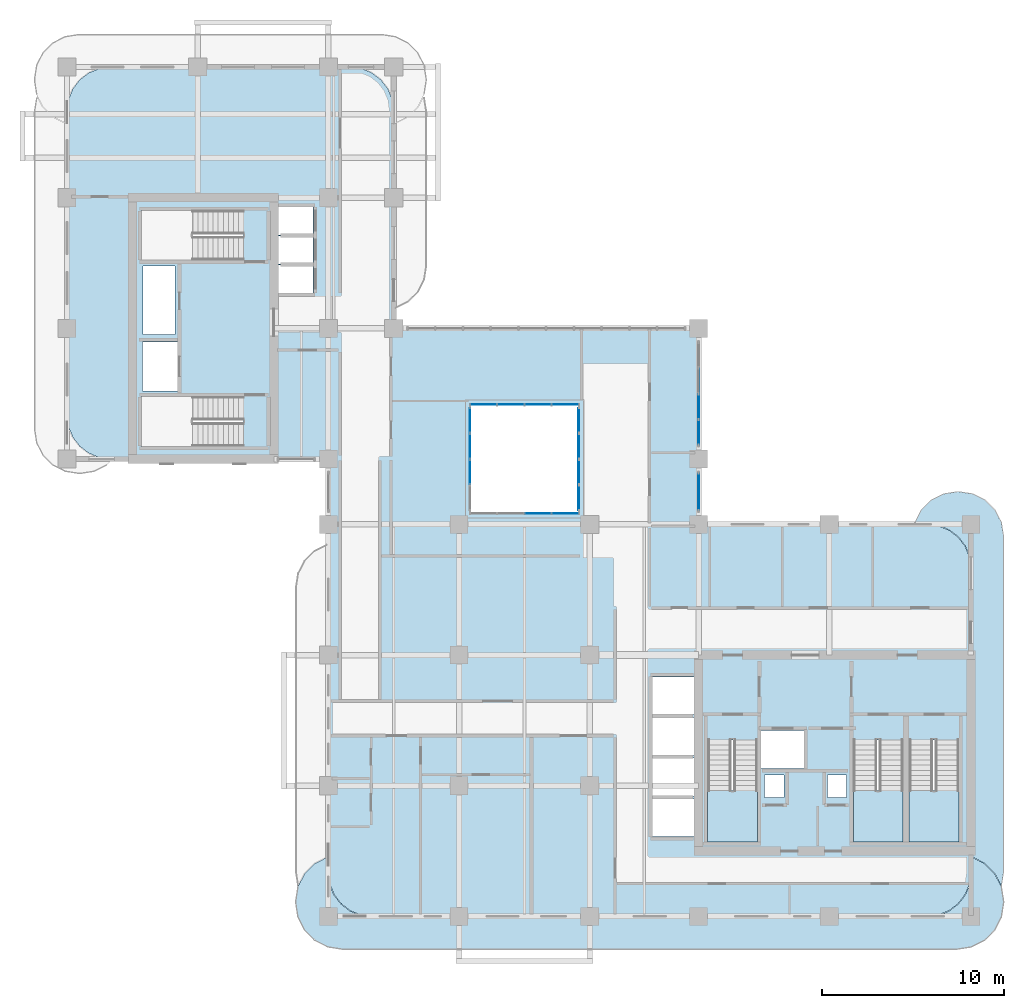
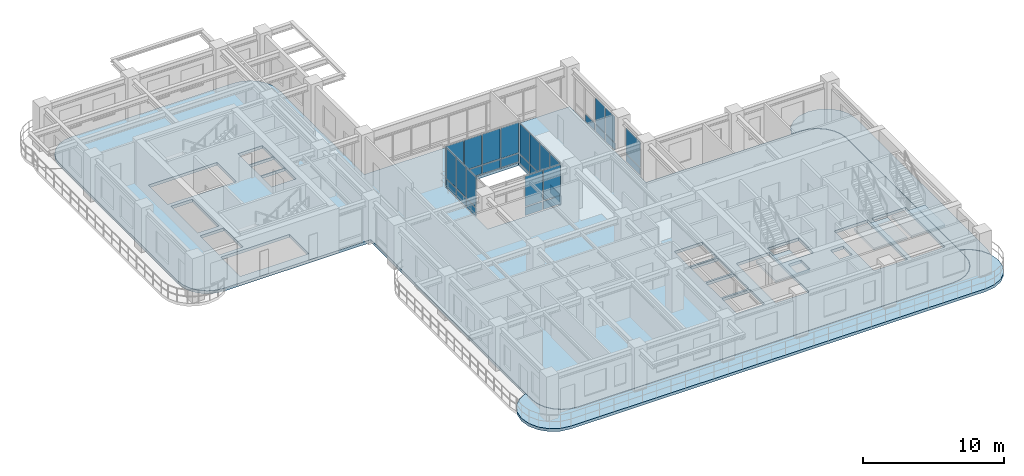
# One storey, part 9 of 19: 33 plates, 6 slabs, 9 elements without a shape of their own.
"""IFC4 building model written with IfcOpenShell, lengths in metres."""

from ifc_helpers import new_model, si_unit, derived_unit, direction, frame, origin, origin_2d, place, context, subcontext, project, spatial, polyline, rectangle, outline, extrude, source, transform, mapped, material, layer, layer_set, type_object, element, aggregate, save


model = new_model("IFC4")

# Units and contexts
model_context = context("Model", 3, precision=1e-05, world=origin(), true_north=direction((0.0, 1.0)))
body_context = subcontext(model_context, "Body", "Model", "MODEL_VIEW")
ifc_project = project(units=[si_unit("LENGTHUNIT", "METRE"), si_unit("AREAUNIT", "SQUARE_METRE"), si_unit("VOLUMEUNIT", "CUBIC_METRE"), si_unit("PLANEANGLEUNIT", "RADIAN"), si_unit("MASSUNIT", "GRAM", prefix="KILO"), si_unit("THERMODYNAMICTEMPERATUREUNIT", "KELVIN"), si_unit("POWERUNIT", "WATT"), derived_unit("THERMALTRANSMITTANCEUNIT", [(si_unit("POWERUNIT", "WATT"), 1), (si_unit("AREAUNIT", "SQUARE_METRE"), -1), (si_unit("THERMODYNAMICTEMPERATUREUNIT", "KELVIN"), -1)])], contexts=[model_context])

# Site, building, storey
site_placement = place(None, origin())
site = spatial("IfcSite", under=ifc_project, at=site_placement, CompositionType="ELEMENT")
building_placement = place(site_placement, origin())
building = spatial("IfcBuilding", under=site, at=building_placement, Name="Zahravan Archway Hotel and Residences", CompositionType="ELEMENT")
storey_placement = place(building_placement, frame((0.0, 0.0, 150.300048828125)))
storey = spatial("IfcBuildingStorey", under=building, at=storey_placement, Name="L37", CompositionType="ELEMENT", Elevation=150.300048828125)

# Slabs
ifc_material_1 = material(Name="Concrete C45/55", Category="concrete")
ifc_layer_1 = layer(ifc_material_1, 0.25, Name="Concrete C45/55", Category="concrete")
ifc_layer_set_1 = layer_set([ifc_layer_1], Name="Concrete C45/55")
slab_type_1 = type_object("IfcSlabType", Name="SLB-BALC-250", PredefinedType="FLOOR", material=ifc_layer_set_1)
slab_1_placement = place(storey_placement, frame((0.0, 0.0, -0.25)))
element("IfcSlab", 1, at=slab_1_placement, inside=storey, type_object=slab_type_1, Name="L37 Wing A South Rounded Balcony Band", PredefinedType="FLOOR", context=body_context, shape_type="SweptSolid", body=[
    extrude(outline(polyline([(49.837890625, 3.275146484375), (50.548828125, 2.9130859375), (51.113037109375, 2.348876953125), (51.47509765625, 1.637939453125), (51.60009765625, 0.85009765625), (51.60009765625, 0.75), (51.47509765625, -0.0380859375), (51.113037109375, -0.748779296875), (50.548828125, -1.31298828125), (49.837890625, -1.67529296875), (49.050048828125, -1.800048828125), (15.14990234375, -1.800048828125), (14.362060546875, -1.67529296875), (13.651123046875, -1.31298828125), (13.0869140625, -0.748779296875), (12.724853515625, -0.0380859375), (12.60009765625, 0.75), (12.60009765625, 0.85009765625), (12.724853515625, 1.637939453125), (13.0869140625, 2.348876953125), (13.651123046875, 2.9130859375), (14.362060546875, 3.275146484375), (14.3798828125, 3.278076171875), (14.3798828125, 2.39990234375), (14.380126953125, 2.3974609375), (14.4619140625, 1.776123046875), (14.46240234375, 1.7744140625), (14.462646484375, 1.772705078125), (14.46337890625, 1.77099609375), (14.702880859375, 1.1923828125), (14.703857421875, 1.19091796875), (14.70458984375, 1.189208984375), (14.70556640625, 1.187744140625), (15.0869140625, 0.690673828125), (15.088134765625, 0.689453125), (15.08935546875, 0.688232421875), (15.0908203125, 0.68701171875), (15.587890625, 0.3056640625), (15.58935546875, 0.3046875), (15.5908203125, 0.3037109375), (15.59228515625, 0.302978515625), (16.171142578125, 0.063232421875), (16.1728515625, 0.062744140625), (16.174560546875, 0.062255859375), (16.17626953125, 0.06201171875), (16.79736328125, -0.019775390625), (16.800048828125, -0.02001953125), (47.39990234375, -0.02001953125), (47.402587890625, -0.019775390625), (48.023681640625, 0.06201171875), (48.025390625, 0.062255859375), (48.027099609375, 0.062744140625), (48.02880859375, 0.063232421875), (48.607666015625, 0.302978515625), (48.609130859375, 0.3037109375), (48.610595703125, 0.3046875), (48.6123046875, 0.3056640625), (49.109375, 0.68701171875), (49.110595703125, 0.688232421875), (49.11181640625, 0.689453125), (49.113037109375, 0.690673828125), (49.494384765625, 1.187744140625), (49.495361328125, 1.189208984375), (49.49609375, 1.19091796875), (49.4970703125, 1.1923828125), (49.73681640625, 1.77099609375), (49.7373046875, 1.772705078125), (49.73779296875, 1.7744140625), (49.738037109375, 1.776123046875), (49.81982421875, 2.3974609375), (49.820068359375, 2.39990234375), (49.820068359375, 3.278076171875), (49.837890625, 3.275146484375)])), origin(), (0.0, 0.0, 1.0), 0.25),
])
slab_2_placement = place(storey_placement, frame((0.0, 0.0, -0.25)))
element("IfcSlab", 2, at=slab_2_placement, inside=storey, type_object=slab_type_1, Name="L37 Wing A East Rounded Balcony Band", PredefinedType="FLOOR", context=body_context, shape_type="SweptSolid", body=[
    extrude(outline(polyline([(46.719970703125, 21.70703125), (47.06787109375, 22.39013671875), (47.60986328125, 22.93212890625), (48.29296875, 23.280029296875), (49.050048828125, 23.39990234375), (49.14990234375, 23.39990234375), (49.906982421875, 23.280029296875), (50.590087890625, 22.93212890625), (51.132080078125, 22.39013671875), (51.47998046875, 21.70703125), (51.60009765625, 20.949951171875), (51.60009765625, 2.449951171875), (51.47998046875, 1.69287109375), (51.474853515625, 1.6826171875), (51.130859375, 2.35791015625), (51.1298828125, 2.35986328125), (51.12841796875, 2.361572265625), (51.127197265625, 2.363037109375), (50.56298828125, 2.927001953125), (50.5615234375, 2.928466796875), (50.559814453125, 2.9296875), (50.55810546875, 2.930908203125), (49.84716796875, 3.29296875), (49.84521484375, 3.2939453125), (49.84326171875, 3.29443359375), (49.841064453125, 3.294921875), (49.822998046875, 3.2978515625), (49.8212890625, 3.298095703125), (49.820068359375, 3.298095703125), (49.820068359375, 19.199951171875), (49.81982421875, 19.20263671875), (49.738037109375, 19.82373046875), (49.73779296875, 19.825439453125), (49.7373046875, 19.8271484375), (49.73681640625, 19.828857421875), (49.4970703125, 20.40771484375), (49.49609375, 20.4091796875), (49.495361328125, 20.41064453125), (49.494384765625, 20.412109375), (49.113037109375, 20.9091796875), (49.11181640625, 20.91064453125), (49.110595703125, 20.911865234375), (49.109375, 20.9130859375), (48.6123046875, 21.29443359375), (48.610595703125, 21.29541015625), (48.609130859375, 21.296142578125), (48.607666015625, 21.297119140625), (48.02880859375, 21.53662109375), (48.027099609375, 21.537353515625), (48.025390625, 21.53759765625), (48.023681640625, 21.5380859375), (47.402587890625, 21.619873046875), (47.39990234375, 21.6201171875), (46.7060546875, 21.6201171875), (46.719970703125, 21.70703125)])), origin(), (0.0, 0.0, 1.0), 0.25),
])
ifc_layer_2 = layer(ifc_material_1, 0.25, Name="Concrete C45/55", Category="concrete")
ifc_layer_set_2 = layer_set([ifc_layer_2], Name="Concrete C45/55")
slab_type_2 = type_object("IfcSlabType", Name="SLB-FLR-250", PredefinedType="FLOOR", material=ifc_layer_set_2)
slab_3_placement = place(storey_placement, frame((0.0, 0.0, -0.25)))
element("IfcSlab", 3, at=slab_3_placement, inside=storey, type_object=slab_type_2, Name="L37 Floor Slab LB", PredefinedType="FLOOR", context=body_context, shape_type="SweptSolid", body=[
    extrude(outline(polyline([(34.800048828125, 21.60009765625), (34.800048828125, 32.39990234375), (18.0, 32.39990234375), (18.0, 44.39990234375), (17.918212890625, 45.021240234375), (17.678466796875, 45.60009765625), (17.297119140625, 46.09716796875), (16.800048828125, 46.478515625), (16.22119140625, 46.71826171875), (15.60009765625, 46.800048828125), (2.39990234375, 46.800048828125), (1.77880859375, 46.71826171875), (1.199951171875, 46.478515625), (0.702880859375, 46.09716796875), (0.321533203125, 45.60009765625), (0.081787109375, 45.021240234375), (0.0, 44.39990234375), (0.0, 27.60009765625), (0.081787109375, 26.978759765625), (0.321533203125, 26.39990234375), (0.702880859375, 25.90283203125), (1.199951171875, 25.521484375), (1.77880859375, 25.28173828125), (2.39990234375, 25.199951171875), (14.39990234375, 25.199951171875), (14.39990234375, 19.199951171875), (14.39990234375, 19.10009765625), (14.39990234375, 2.39990234375), (14.481689453125, 1.77880859375), (14.721435546875, 1.199951171875), (15.102783203125, 0.702880859375), (15.60009765625, 0.321533203125), (16.1787109375, 0.081787109375), (16.800048828125, 0.0), (47.39990234375, 0.0), (48.021240234375, 0.081787109375), (48.60009765625, 0.321533203125), (49.09716796875, 0.702880859375), (49.478515625, 1.199951171875), (49.71826171875, 1.77880859375), (49.800048828125, 2.39990234375), (49.800048828125, 19.199951171875), (49.71826171875, 19.8212890625), (49.478515625, 20.39990234375), (49.09716796875, 20.897216796875), (48.60009765625, 21.278564453125), (48.021240234375, 21.518310546875), (47.39990234375, 21.60009765625), (34.800048828125, 21.60009765625)]), holes=[polyline([(35.300048828125, 9.72998046875), (35.300048828125, 4.10009765625), (38.0400390625, 4.10009765625), (38.0400390625, 9.72998046875), (35.300048828125, 9.72998046875)]), polyline([(43.320068359375, 9.72998046875), (43.320068359375, 4.10009765625), (46.06005859375, 4.10009765625), (46.06005859375, 9.72998046875), (43.320068359375, 9.72998046875)]), polyline([(46.39990234375, 9.72998046875), (46.39990234375, 4.10009765625), (49.139892578125, 4.10009765625), (49.139892578125, 9.72998046875), (46.39990234375, 9.72998046875)]), polyline([(9.72998046875, 28.639892578125), (4.10009765625, 28.639892578125), (4.10009765625, 25.89990234375), (9.72998046875, 25.89990234375), (9.72998046875, 28.639892578125)]), polyline([(9.72998046875, 38.89990234375), (4.10009765625, 38.89990234375), (4.10009765625, 36.159912109375), (9.72998046875, 36.159912109375), (9.72998046875, 38.89990234375)]), polyline([(38.179931640625, 8.14990234375), (40.699951171875, 8.14990234375), (40.699951171875, 10.25), (38.179931640625, 10.25), (38.179931640625, 8.14990234375)]), polyline([(4.14990234375, 28.949951171875), (6.10009765625, 28.949951171875), (6.10009765625, 31.64990234375), (4.14990234375, 31.64990234375), (4.14990234375, 28.949951171875)]), polyline([(11.550048828125, 34.35009765625), (13.550048828125, 34.35009765625), (13.550048828125, 35.889892578125), (11.550048828125, 35.889892578125), (11.550048828125, 34.35009765625)]), polyline([(11.550048828125, 35.949951171875), (13.550048828125, 35.949951171875), (13.550048828125, 37.489990234375), (11.550048828125, 37.489990234375), (11.550048828125, 35.949951171875)]), polyline([(11.550048828125, 37.550048828125), (13.550048828125, 37.550048828125), (13.550048828125, 39.090087890625), (11.550048828125, 39.090087890625), (11.550048828125, 37.550048828125)]), polyline([(32.25, 4.39990234375), (34.550048828125, 4.39990234375), (34.550048828125, 6.47998046875), (32.25, 6.47998046875), (32.25, 4.39990234375)]), polyline([(32.25, 6.639892578125), (34.550048828125, 6.639892578125), (34.550048828125, 8.719970703125), (32.25, 8.719970703125), (32.25, 6.639892578125)]), polyline([(32.25, 8.8798828125), (34.550048828125, 8.8798828125), (34.550048828125, 10.9599609375), (32.25, 10.9599609375), (32.25, 8.8798828125)]), polyline([(32.25, 11.1201171875), (34.550048828125, 11.1201171875), (34.550048828125, 13.199951171875), (32.25, 13.199951171875), (32.25, 11.1201171875)]), polyline([(22.199951171875, 22.199951171875), (28.199951171875, 22.199951171875), (28.199951171875, 28.199951171875), (22.199951171875, 28.199951171875), (22.199951171875, 22.199951171875)]), polyline([(38.419921875, 6.56005859375), (39.5, 6.56005859375), (39.5, 7.780029296875), (38.419921875, 7.780029296875), (38.419921875, 6.56005859375)]), polyline([(41.89990234375, 6.56005859375), (42.9599609375, 6.56005859375), (42.9599609375, 7.780029296875), (41.89990234375, 7.780029296875), (41.89990234375, 6.56005859375)]), polyline([(4.179931640625, 32.050048828125), (5.93994140625, 32.050048828125), (5.93994140625, 35.840087890625), (4.179931640625, 35.840087890625), (4.179931640625, 32.050048828125)])]), origin(), (0.0, 0.0, 1.0), 0.25),
])

# Stair, slab
ifc_material_2 = material(Name="Concrete C50/60", Category="concrete")
stair_type = type_object("IfcStairType", Name="STR-CORE-1300", PredefinedType="HALF_TURN_STAIR", material=ifc_material_2)
stair_1_placement = place(storey_placement, origin())
stair_1 = element("IfcStair", 4, at=stair_1_placement, inside=storey, type_object=stair_type, Name="L37 Core A Exit Stair 1", PredefinedType="HALF_TURN_STAIR")
ifc_layer_3 = layer(ifc_material_2, 0.199951171875, Name="Concrete C50/60", Category="concrete")
ifc_layer_set_3 = layer_set([ifc_layer_3], Name="Concrete C50/60")
slab_type_3 = type_object("IfcSlabType", Name="SLB-LND-200", PredefinedType="LANDING", material=ifc_layer_set_3)
slab_4_placement = place(storey_placement, frame((0.0, 0.0, 1.724853515625)))
slab_4 = element("IfcSlab", 5, at=slab_4_placement, type_object=slab_type_3, Name="ST-A1 landing 1", PredefinedType="LANDING", context=body_context, shape_type="SweptSolid", body=[
    extrude(outline(polyline([(35.300048828125, 6.929931640625), (35.300048828125, 4.10009765625), (38.0400390625, 4.10009765625), (38.0400390625, 6.929931640625), (35.300048828125, 6.929931640625)])), origin(), (0.0, 0.0, 1.0), 0.2001953125),
])
aggregate(stair_1, [slab_4])

stair_2_placement = place(storey_placement, origin())
stair_2 = element("IfcStair", 6, at=stair_2_placement, inside=storey, type_object=stair_type, Name="L37 Core A Exit Stair 2", PredefinedType="HALF_TURN_STAIR")
slab_5_placement = place(storey_placement, frame((0.0, 0.0, 1.724853515625)))
slab_5 = element("IfcSlab", 7, at=slab_5_placement, type_object=slab_type_3, Name="ST-A2 landing 1", PredefinedType="LANDING", context=body_context, shape_type="SweptSolid", body=[
    extrude(outline(polyline([(43.320068359375, 6.929931640625), (43.320068359375, 4.10009765625), (46.06005859375, 4.10009765625), (46.06005859375, 6.929931640625), (43.320068359375, 6.929931640625)])), origin(), (0.0, 0.0, 1.0), 0.2001953125),
])
aggregate(stair_2, [slab_5])

stair_3_placement = place(storey_placement, origin())
stair_3 = element("IfcStair", 8, at=stair_3_placement, inside=storey, type_object=stair_type, Name="L37 Core A Exit Stair 3", PredefinedType="HALF_TURN_STAIR")
slab_6_placement = place(storey_placement, frame((0.0, 0.0, 1.724853515625)))
slab_6 = element("IfcSlab", 9, at=slab_6_placement, type_object=slab_type_3, Name="ST-A3 landing 1", PredefinedType="LANDING", context=body_context, shape_type="SweptSolid", body=[
    extrude(outline(polyline([(46.39990234375, 6.929931640625), (46.39990234375, 4.10009765625), (49.139892578125, 4.10009765625), (49.139892578125, 6.929931640625), (46.39990234375, 6.929931640625)])), origin(), (0.0, 0.0, 1.0), 0.2001953125),
])
aggregate(stair_3, [slab_6])

# Curtain wall, plates
ifc_material_3 = material(Name="Bronze-Anodized Unitised Aluminium & Low-E Glass", Category="aluminium")
ifc_layer_4 = layer(ifc_material_3, 0.179931640625, Name="Bronze-Anodized Unitised Aluminium & Low-E Glass", Category="aluminium")
ifc_layer_set_4 = layer_set([ifc_layer_4], Name="Bronze-Anodized Unitised Aluminium & Low-E Glass")
curtain_wall_type = type_object("IfcCurtainWallType", Name="CW-ATR-GLAZ", PredefinedType="NOTDEFINED", material=ifc_layer_set_4)
curtain_wall_1_placement = place(storey_placement, origin())
curtain_wall_1 = element("IfcCurtainWall", 10, at=curtain_wall_1_placement, inside=storey, type_object=curtain_wall_type, Name="L37 Curtain Wall CW-ATR-L37-S-1", PredefinedType="NOTDEFINED")
ifc_material_4 = material(Name="Insulated Terracotta Spandrel Panel", Category="masonry")
ifc_layer_5 = layer(ifc_material_4, 0.0400390625, Name="Insulated Terracotta Spandrel Panel", Category="masonry")
ifc_layer_set_5 = layer_set([ifc_layer_5], Name="Insulated Terracotta Spandrel Panel")
plate_type_1 = type_object("IfcPlateType", Name="CWP-SPN-40", PredefinedType="SHEET", material=ifc_layer_set_5)
shared_shape_1 = source(origin(), body_context, "Body", "SweptSolid", [
    extrude(rectangle(XDim=1.419921875, YDim=0.0400390625, at=origin_2d()), origin(), (0.0, 0.0, 1.0), 0.7099609375),
])
plate_1_placement = place(storey_placement, frame((25.949951171875, 22.199951171875, 0.099853515625), z_axis=(0.0, 0.0, 1.0), x_axis=(1.0, 0.0, 0.0)))
plate_1 = element("IfcPlate", 11, at=plate_1_placement, type_object=plate_type_1, Name="CW-ATR-L37-S-1 Spandrel Panel 2", PredefinedType="SHEET", context=body_context, shape_type="MappedRepresentation", body=[
    mapped(shared_shape_1, transform((0.0, 0.0, 0.0), scale=1.0)),
])
plate_2_placement = place(storey_placement, frame((27.449951171875, 22.199951171875, 0.099853515625), z_axis=(0.0, 0.0, 1.0), x_axis=(1.0, 0.0, 0.0)))
plate_2 = element("IfcPlate", 12, at=plate_2_placement, type_object=plate_type_1, Name="CW-ATR-L37-S-1 Spandrel Panel 3", PredefinedType="SHEET", context=body_context, shape_type="MappedRepresentation", body=[
    mapped(shared_shape_1, transform((0.0, 0.0, 0.0), scale=1.0)),
])

curtain_wall_2_placement = place(storey_placement, origin())
curtain_wall_2 = element("IfcCurtainWall", 13, at=curtain_wall_2_placement, inside=storey, type_object=curtain_wall_type, Name="L37 Curtain Wall CW-ATR-L37-N-1", PredefinedType="NOTDEFINED")
plate_3_placement = place(storey_placement, frame((22.949951171875, 28.199951171875, 0.099853515625), z_axis=(0.0, 0.0, 1.0), x_axis=(1.0, 0.0, 0.0)))
plate_3 = element("IfcPlate", 14, at=plate_3_placement, type_object=plate_type_1, Name="CW-ATR-L37-N-1 Spandrel Panel 0", PredefinedType="SHEET", context=body_context, shape_type="MappedRepresentation", body=[
    mapped(shared_shape_1, transform((0.0, 0.0, 0.0), scale=1.0)),
])
plate_4_placement = place(storey_placement, frame((24.449951171875, 28.199951171875, 0.099853515625), z_axis=(0.0, 0.0, 1.0), x_axis=(1.0, 0.0, 0.0)))
plate_4 = element("IfcPlate", 15, at=plate_4_placement, type_object=plate_type_1, Name="CW-ATR-L37-N-1 Spandrel Panel 1", PredefinedType="SHEET", context=body_context, shape_type="MappedRepresentation", body=[
    mapped(shared_shape_1, transform((0.0, 0.0, 0.0), scale=1.0)),
])
plate_5_placement = place(storey_placement, frame((25.949951171875, 28.199951171875, 0.099853515625), z_axis=(0.0, 0.0, 1.0), x_axis=(1.0, 0.0, 0.0)))
plate_5 = element("IfcPlate", 16, at=plate_5_placement, type_object=plate_type_1, Name="CW-ATR-L37-N-1 Spandrel Panel 2", PredefinedType="SHEET", context=body_context, shape_type="MappedRepresentation", body=[
    mapped(shared_shape_1, transform((0.0, 0.0, 0.0), scale=1.0)),
])
plate_6_placement = place(storey_placement, frame((27.449951171875, 28.199951171875, 0.099853515625), z_axis=(0.0, 0.0, 1.0), x_axis=(1.0, 0.0, 0.0)))
plate_6 = element("IfcPlate", 17, at=plate_6_placement, type_object=plate_type_1, Name="CW-ATR-L37-N-1 Spandrel Panel 3", PredefinedType="SHEET", context=body_context, shape_type="MappedRepresentation", body=[
    mapped(shared_shape_1, transform((0.0, 0.0, 0.0), scale=1.0)),
])

curtain_wall_3_placement = place(storey_placement, origin())
curtain_wall_3 = element("IfcCurtainWall", 18, at=curtain_wall_3_placement, inside=storey, type_object=curtain_wall_type, Name="L37 Curtain Wall CW-ATR-L37-W-1", PredefinedType="NOTDEFINED")
shared_shape_2 = source(origin(), body_context, "Body", "SweptSolid", [
    extrude(rectangle(XDim=1.344970703125, YDim=0.0400390625, at=origin_2d()), origin(), (0.0, 0.0, 1.0), 0.7099609375),
])
plate_7_placement = place(storey_placement, frame((22.199951171875, 24.487548828125, 0.099853515625), z_axis=(0.0, 0.0, 1.0), x_axis=(0.0, 1.0, 0.0)))
plate_7 = element("IfcPlate", 19, at=plate_7_placement, type_object=plate_type_1, Name="CW-ATR-L37-W-1 Spandrel Panel 1", PredefinedType="SHEET", context=body_context, shape_type="MappedRepresentation", body=[
    mapped(shared_shape_2, transform((0.0, 0.0, 0.0), scale=1.0)),
])
plate_8_placement = place(storey_placement, frame((22.199951171875, 25.91259765625, 0.099853515625), z_axis=(0.0, 0.0, 1.0), x_axis=(0.0, 1.0, 0.0)))
plate_8 = element("IfcPlate", 20, at=plate_8_placement, type_object=plate_type_1, Name="CW-ATR-L37-W-1 Spandrel Panel 2", PredefinedType="SHEET", context=body_context, shape_type="MappedRepresentation", body=[
    mapped(shared_shape_2, transform((0.0, 0.0, 0.0), scale=1.0)),
])
plate_9_placement = place(storey_placement, frame((22.199951171875, 27.33740234375, 0.099853515625), z_axis=(0.0, 0.0, 1.0), x_axis=(0.0, 1.0, 0.0)))
plate_9 = element("IfcPlate", 21, at=plate_9_placement, type_object=plate_type_1, Name="CW-ATR-L37-W-1 Spandrel Panel 3", PredefinedType="SHEET", context=body_context, shape_type="MappedRepresentation", body=[
    mapped(shared_shape_2, transform((0.0, 0.0, 0.0), scale=1.0)),
])

curtain_wall_4_placement = place(storey_placement, origin())
curtain_wall_4 = element("IfcCurtainWall", 22, at=curtain_wall_4_placement, inside=storey, type_object=curtain_wall_type, Name="L37 Curtain Wall CW-ATR-L37-E-1", PredefinedType="NOTDEFINED")
plate_10_placement = place(storey_placement, frame((28.199951171875, 23.0625, 0.099853515625), z_axis=(0.0, 0.0, 1.0), x_axis=(0.0, 1.0, 0.0)))
plate_10 = element("IfcPlate", 23, at=plate_10_placement, type_object=plate_type_1, Name="CW-ATR-L37-E-1 Spandrel Panel 0", PredefinedType="SHEET", context=body_context, shape_type="MappedRepresentation", body=[
    mapped(shared_shape_2, transform((0.0, 0.0, 0.0), scale=1.0)),
])
plate_11_placement = place(storey_placement, frame((28.199951171875, 24.487548828125, 0.099853515625), z_axis=(0.0, 0.0, 1.0), x_axis=(0.0, 1.0, 0.0)))
plate_11 = element("IfcPlate", 24, at=plate_11_placement, type_object=plate_type_1, Name="CW-ATR-L37-E-1 Spandrel Panel 1", PredefinedType="SHEET", context=body_context, shape_type="MappedRepresentation", body=[
    mapped(shared_shape_2, transform((0.0, 0.0, 0.0), scale=1.0)),
])
plate_12_placement = place(storey_placement, frame((28.199951171875, 25.91259765625, 0.099853515625), z_axis=(0.0, 0.0, 1.0), x_axis=(0.0, 1.0, 0.0)))
plate_12 = element("IfcPlate", 25, at=plate_12_placement, type_object=plate_type_1, Name="CW-ATR-L37-E-1 Spandrel Panel 2", PredefinedType="SHEET", context=body_context, shape_type="MappedRepresentation", body=[
    mapped(shared_shape_2, transform((0.0, 0.0, 0.0), scale=1.0)),
])
plate_13_placement = place(storey_placement, frame((28.199951171875, 27.33740234375, 0.099853515625), z_axis=(0.0, 0.0, 1.0), x_axis=(0.0, 1.0, 0.0)))
plate_13 = element("IfcPlate", 26, at=plate_13_placement, type_object=plate_type_1, Name="CW-ATR-L37-E-1 Spandrel Panel 3", PredefinedType="SHEET", context=body_context, shape_type="MappedRepresentation", body=[
    mapped(shared_shape_2, transform((0.0, 0.0, 0.0), scale=1.0)),
])

curtain_wall_5_placement = place(storey_placement, origin())
curtain_wall_5 = element("IfcCurtainWall", 27, at=curtain_wall_5_placement, inside=storey, type_object=curtain_wall_type, Name="L37 Curtain Wall CW-L37-HNG-E-1", PredefinedType="NOTDEFINED")
shared_shape_3 = source(origin(), body_context, "Body", "SweptSolid", [
    extrude(rectangle(XDim=2.0, YDim=0.0400390625, at=origin_2d()), origin(), (0.0, 0.0, 1.0), 0.600341796875),
])
plate_14_placement = place(storey_placement, frame((34.800048828125, 23.39990234375, 0.10009765625), z_axis=(0.0, 0.0, 1.0), x_axis=(0.0, 1.0, 0.0)))
plate_14 = element("IfcPlate", 28, at=plate_14_placement, type_object=plate_type_1, Name="CW-L37-HNG-E-1 Spandrel Panel 0", PredefinedType="SHEET", context=body_context, shape_type="MappedRepresentation", body=[
    mapped(shared_shape_3, transform((0.0, 0.0, 0.0), scale=1.0)),
])
ifc_material_5 = material(Name="Double-Silver Low-E Insulated Vision Glass", Category="glass")
ifc_layer_6 = layer(ifc_material_5, 0.028076171875, Name="Double-Silver Low-E Insulated Vision Glass", Category="glass")
ifc_layer_set_6 = layer_set([ifc_layer_6], Name="Double-Silver Low-E Insulated Vision Glass")
plate_type_2 = type_object("IfcPlateType", Name="CWP-GLZ-28", PredefinedType="CURTAIN_PANEL", material=ifc_layer_set_6)
shared_shape_4 = source(origin(), body_context, "Body", "SweptSolid", [
    extrude(rectangle(XDim=2.0, YDim=0.028076171875, at=origin_2d()), origin(), (0.0, 0.0, 1.0), 2.20458984375),
])
plate_15_placement = place(storey_placement, frame((34.800048828125, 23.39990234375, 0.7802734375), z_axis=(0.0, 0.0, 1.0), x_axis=(0.0, 1.0, 0.0)))
plate_15 = element("IfcPlate", 29, at=plate_15_placement, type_object=plate_type_2, Name="CW-L37-HNG-E-1 Low-E Vision Panel 0", PredefinedType="CURTAIN_PANEL", context=body_context, shape_type="MappedRepresentation", body=[
    mapped(shared_shape_4, transform((0.0, 0.0, 0.0), scale=1.0)),
])
aggregate(curtain_wall_5, [plate_14, plate_15])

curtain_wall_6_placement = place(storey_placement, origin())
curtain_wall_6 = element("IfcCurtainWall", 30, at=curtain_wall_6_placement, inside=storey, type_object=curtain_wall_type, Name="L37 Curtain Wall CW-L37-HNG-E-2", PredefinedType="NOTDEFINED")
shared_shape_5 = source(origin(), body_context, "Body", "SweptSolid", [
    extrude(rectangle(XDim=1.340087890625, YDim=0.0400390625, at=origin_2d()), origin(), (0.0, 0.0, 1.0), 0.600341796875),
])
plate_16_placement = place(storey_placement, frame((34.800048828125, 26.669921875, 0.10009765625), z_axis=(0.0, 0.0, 1.0), x_axis=(0.0, 1.0, 0.0)))
plate_16 = element("IfcPlate", 31, at=plate_16_placement, type_object=plate_type_1, Name="CW-L37-HNG-E-2 Spandrel Panel 0", PredefinedType="SHEET", context=body_context, shape_type="MappedRepresentation", body=[
    mapped(shared_shape_5, transform((0.0, 0.0, 0.0), scale=1.0)),
])
plate_17_placement = place(storey_placement, frame((34.800048828125, 28.090087890625, 0.10009765625), z_axis=(0.0, 0.0, 1.0), x_axis=(0.0, 1.0, 0.0)))
plate_17 = element("IfcPlate", 32, at=plate_17_placement, type_object=plate_type_1, Name="CW-L37-HNG-E-2 Spandrel Panel 1", PredefinedType="SHEET", context=body_context, shape_type="MappedRepresentation", body=[
    mapped(shared_shape_5, transform((0.0, 0.0, 0.0), scale=1.0)),
])
plate_18_placement = place(storey_placement, frame((34.800048828125, 29.510009765625, 0.10009765625), z_axis=(0.0, 0.0, 1.0), x_axis=(0.0, 1.0, 0.0)))
plate_18 = element("IfcPlate", 33, at=plate_18_placement, type_object=plate_type_1, Name="CW-L37-HNG-E-2 Spandrel Panel 2", PredefinedType="SHEET", context=body_context, shape_type="MappedRepresentation", body=[
    mapped(shared_shape_5, transform((0.0, 0.0, 0.0), scale=1.0)),
])
shared_shape_6 = source(origin(), body_context, "Body", "SweptSolid", [
    extrude(rectangle(XDim=1.340087890625, YDim=0.028076171875, at=origin_2d()), origin(), (0.0, 0.0, 1.0), 2.20458984375),
])
plate_19_placement = place(storey_placement, frame((34.800048828125, 26.669921875, 0.7802734375), z_axis=(0.0, 0.0, 1.0), x_axis=(0.0, 1.0, 0.0)))
plate_19 = element("IfcPlate", 34, at=plate_19_placement, type_object=plate_type_2, Name="CW-L37-HNG-E-2 Low-E Vision Panel 0", PredefinedType="CURTAIN_PANEL", context=body_context, shape_type="MappedRepresentation", body=[
    mapped(shared_shape_6, transform((0.0, 0.0, 0.0), scale=1.0)),
])
plate_20_placement = place(storey_placement, frame((34.800048828125, 28.090087890625, 0.7802734375), z_axis=(0.0, 0.0, 1.0), x_axis=(0.0, 1.0, 0.0)))
plate_20 = element("IfcPlate", 35, at=plate_20_placement, type_object=plate_type_2, Name="CW-L37-HNG-E-2 Low-E Vision Panel 1", PredefinedType="CURTAIN_PANEL", context=body_context, shape_type="MappedRepresentation", body=[
    mapped(shared_shape_6, transform((0.0, 0.0, 0.0), scale=1.0)),
])
aggregate(curtain_wall_6, [plate_16, plate_19, plate_17, plate_20, plate_18])

# Plate
shared_shape_7 = source(origin(), body_context, "Body", "SweptSolid", [
    extrude(rectangle(XDim=1.419921875, YDim=0.028076171875, at=origin_2d()), origin(), (0.0, 0.0, 1.0), 2.610107421875),
])
plate_21_placement = place(storey_placement, frame((25.949951171875, 22.199951171875, 0.89013671875), z_axis=(0.0, 0.0, 1.0), x_axis=(1.0, 0.0, 0.0)))
plate_21 = element("IfcPlate", 36, at=plate_21_placement, type_object=plate_type_2, Name="CW-ATR-L37-S-1 Low-E Vision Panel 2", PredefinedType="CURTAIN_PANEL", context=body_context, shape_type="MappedRepresentation", body=[
    mapped(shared_shape_7, transform((0.0, 0.0, 0.0), scale=1.0)),
])

plate_22_placement = place(storey_placement, frame((27.449951171875, 22.199951171875, 0.89013671875), z_axis=(0.0, 0.0, 1.0), x_axis=(1.0, 0.0, 0.0)))
plate_22 = element("IfcPlate", 37, at=plate_22_placement, type_object=plate_type_2, Name="CW-ATR-L37-S-1 Low-E Vision Panel 3", PredefinedType="CURTAIN_PANEL", context=body_context, shape_type="MappedRepresentation", body=[
    mapped(shared_shape_7, transform((0.0, 0.0, 0.0), scale=1.0)),
])

aggregate(curtain_wall_1, [plate_1, plate_21, plate_2, plate_22])

plate_23_placement = place(storey_placement, frame((22.949951171875, 28.199951171875, 0.89013671875), z_axis=(0.0, 0.0, 1.0), x_axis=(1.0, 0.0, 0.0)))
plate_23 = element("IfcPlate", 38, at=plate_23_placement, type_object=plate_type_2, Name="CW-ATR-L37-N-1 Low-E Vision Panel 0", PredefinedType="CURTAIN_PANEL", context=body_context, shape_type="MappedRepresentation", body=[
    mapped(shared_shape_7, transform((0.0, 0.0, 0.0), scale=1.0)),
])

plate_24_placement = place(storey_placement, frame((24.449951171875, 28.199951171875, 0.89013671875), z_axis=(0.0, 0.0, 1.0), x_axis=(1.0, 0.0, 0.0)))
plate_24 = element("IfcPlate", 39, at=plate_24_placement, type_object=plate_type_2, Name="CW-ATR-L37-N-1 Low-E Vision Panel 1", PredefinedType="CURTAIN_PANEL", context=body_context, shape_type="MappedRepresentation", body=[
    mapped(shared_shape_7, transform((0.0, 0.0, 0.0), scale=1.0)),
])

plate_25_placement = place(storey_placement, frame((25.949951171875, 28.199951171875, 0.89013671875), z_axis=(0.0, 0.0, 1.0), x_axis=(1.0, 0.0, 0.0)))
plate_25 = element("IfcPlate", 40, at=plate_25_placement, type_object=plate_type_2, Name="CW-ATR-L37-N-1 Low-E Vision Panel 2", PredefinedType="CURTAIN_PANEL", context=body_context, shape_type="MappedRepresentation", body=[
    mapped(shared_shape_7, transform((0.0, 0.0, 0.0), scale=1.0)),
])

plate_26_placement = place(storey_placement, frame((27.449951171875, 28.199951171875, 0.89013671875), z_axis=(0.0, 0.0, 1.0), x_axis=(1.0, 0.0, 0.0)))
plate_26 = element("IfcPlate", 41, at=plate_26_placement, type_object=plate_type_2, Name="CW-ATR-L37-N-1 Low-E Vision Panel 3", PredefinedType="CURTAIN_PANEL", context=body_context, shape_type="MappedRepresentation", body=[
    mapped(shared_shape_7, transform((0.0, 0.0, 0.0), scale=1.0)),
])

aggregate(curtain_wall_2, [plate_3, plate_23, plate_4, plate_24, plate_5, plate_25, plate_6, plate_26])

shared_shape_8 = source(origin(), body_context, "Body", "SweptSolid", [
    extrude(rectangle(XDim=1.344970703125, YDim=0.028076171875, at=origin_2d()), origin(), (0.0, 0.0, 1.0), 2.610107421875),
])
plate_27_placement = place(storey_placement, frame((22.199951171875, 24.487548828125, 0.89013671875), z_axis=(0.0, 0.0, 1.0), x_axis=(0.0, 1.0, 0.0)))
plate_27 = element("IfcPlate", 42, at=plate_27_placement, type_object=plate_type_2, Name="CW-ATR-L37-W-1 Low-E Vision Panel 1", PredefinedType="CURTAIN_PANEL", context=body_context, shape_type="MappedRepresentation", body=[
    mapped(shared_shape_8, transform((0.0, 0.0, 0.0), scale=1.0)),
])

plate_28_placement = place(storey_placement, frame((22.199951171875, 25.91259765625, 0.89013671875), z_axis=(0.0, 0.0, 1.0), x_axis=(0.0, 1.0, 0.0)))
plate_28 = element("IfcPlate", 43, at=plate_28_placement, type_object=plate_type_2, Name="CW-ATR-L37-W-1 Low-E Vision Panel 2", PredefinedType="CURTAIN_PANEL", context=body_context, shape_type="MappedRepresentation", body=[
    mapped(shared_shape_8, transform((0.0, 0.0, 0.0), scale=1.0)),
])

plate_29_placement = place(storey_placement, frame((22.199951171875, 27.33740234375, 0.89013671875), z_axis=(0.0, 0.0, 1.0), x_axis=(0.0, 1.0, 0.0)))
plate_29 = element("IfcPlate", 44, at=plate_29_placement, type_object=plate_type_2, Name="CW-ATR-L37-W-1 Low-E Vision Panel 3", PredefinedType="CURTAIN_PANEL", context=body_context, shape_type="MappedRepresentation", body=[
    mapped(shared_shape_8, transform((0.0, 0.0, 0.0), scale=1.0)),
])

aggregate(curtain_wall_3, [plate_7, plate_27, plate_8, plate_28, plate_9, plate_29])

plate_30_placement = place(storey_placement, frame((28.199951171875, 23.0625, 0.89013671875), z_axis=(0.0, 0.0, 1.0), x_axis=(0.0, 1.0, 0.0)))
plate_30 = element("IfcPlate", 45, at=plate_30_placement, type_object=plate_type_2, Name="CW-ATR-L37-E-1 Low-E Vision Panel 0", PredefinedType="CURTAIN_PANEL", context=body_context, shape_type="MappedRepresentation", body=[
    mapped(shared_shape_8, transform((0.0, 0.0, 0.0), scale=1.0)),
])

plate_31_placement = place(storey_placement, frame((28.199951171875, 24.487548828125, 0.89013671875), z_axis=(0.0, 0.0, 1.0), x_axis=(0.0, 1.0, 0.0)))
plate_31 = element("IfcPlate", 46, at=plate_31_placement, type_object=plate_type_2, Name="CW-ATR-L37-E-1 Low-E Vision Panel 1", PredefinedType="CURTAIN_PANEL", context=body_context, shape_type="MappedRepresentation", body=[
    mapped(shared_shape_8, transform((0.0, 0.0, 0.0), scale=1.0)),
])

plate_32_placement = place(storey_placement, frame((28.199951171875, 25.91259765625, 0.89013671875), z_axis=(0.0, 0.0, 1.0), x_axis=(0.0, 1.0, 0.0)))
plate_32 = element("IfcPlate", 47, at=plate_32_placement, type_object=plate_type_2, Name="CW-ATR-L37-E-1 Low-E Vision Panel 2", PredefinedType="CURTAIN_PANEL", context=body_context, shape_type="MappedRepresentation", body=[
    mapped(shared_shape_8, transform((0.0, 0.0, 0.0), scale=1.0)),
])

plate_33_placement = place(storey_placement, frame((28.199951171875, 27.33740234375, 0.89013671875), z_axis=(0.0, 0.0, 1.0), x_axis=(0.0, 1.0, 0.0)))
plate_33 = element("IfcPlate", 48, at=plate_33_placement, type_object=plate_type_2, Name="CW-ATR-L37-E-1 Low-E Vision Panel 3", PredefinedType="CURTAIN_PANEL", context=body_context, shape_type="MappedRepresentation", body=[
    mapped(shared_shape_8, transform((0.0, 0.0, 0.0), scale=1.0)),
])

aggregate(curtain_wall_4, [plate_10, plate_30, plate_11, plate_31, plate_12, plate_32, plate_13, plate_33])

save(model, "model.ifc")
